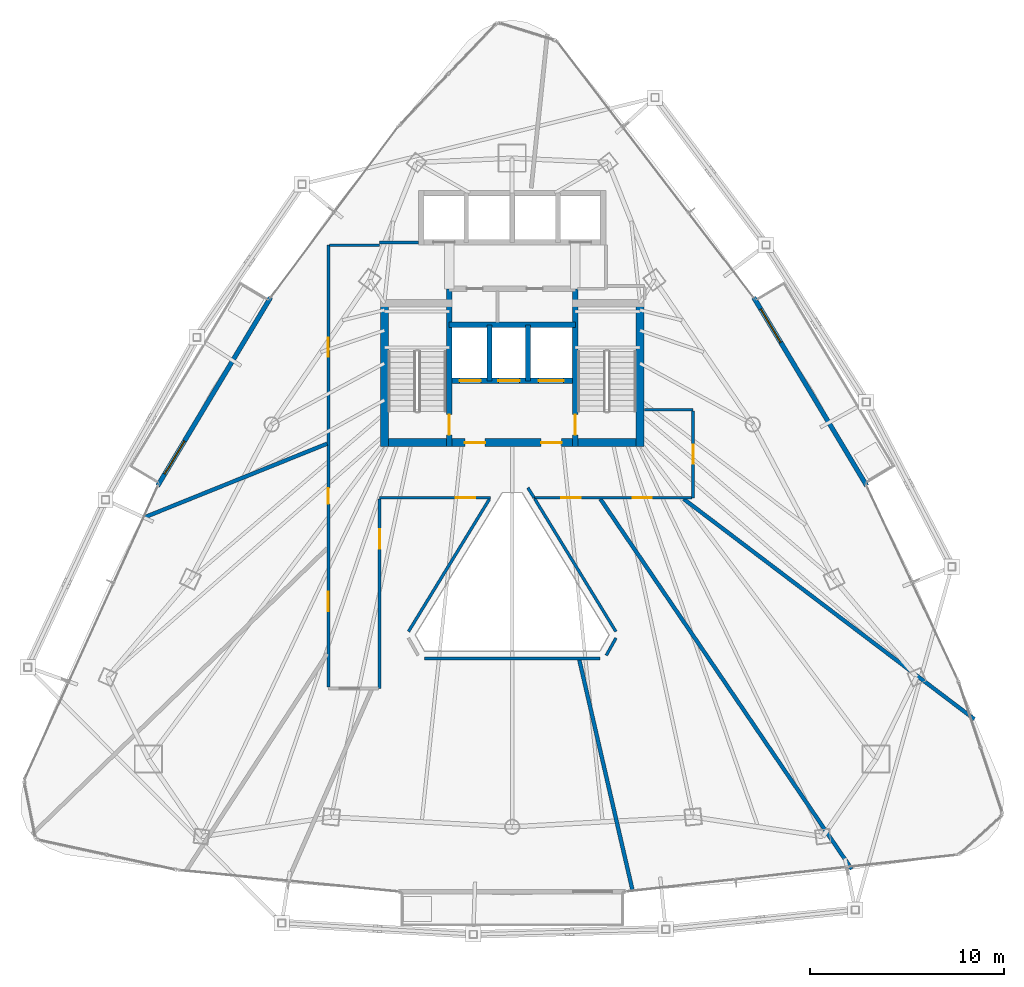
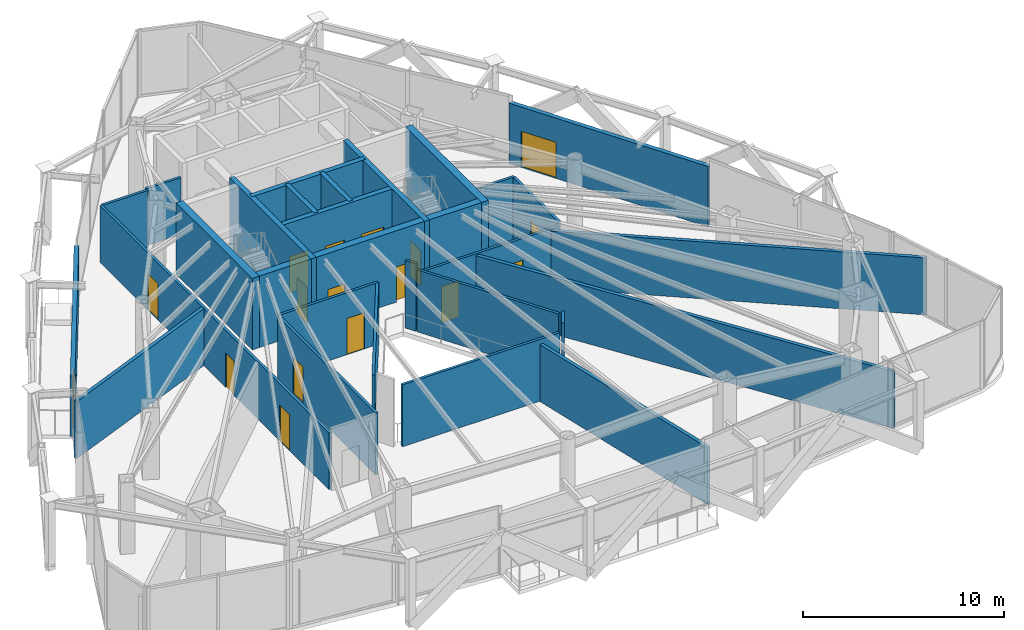
# One storey, part 24 of 28: 28 walls, 17 doors, 17 openings.
"""IFC4 building model written with IfcOpenShell, lengths in metres."""

from ifc_helpers import new_model, si_unit, direction, frame, frame_2d, origin, place, context, subcontext, project, spatial, rectangle, extrude, material, layer, layer_set, type_object, element, fill, save


model = new_model("IFC4")

# Units and contexts
model_context = context("Model", 3, precision=1e-05, world=origin(), true_north=direction((0.0, 1.0)))
body_context = subcontext(model_context, "Body", "Model", "MODEL_VIEW")
ifc_project = project(units=[si_unit("LENGTHUNIT", "METRE"), si_unit("AREAUNIT", "SQUARE_METRE"), si_unit("VOLUMEUNIT", "CUBIC_METRE"), si_unit("PLANEANGLEUNIT", "RADIAN"), si_unit("MASSUNIT", "GRAM", prefix="KILO")], contexts=[model_context])

# Site, building, storey
site_placement = place(None, origin())
site = spatial("IfcSite", under=ifc_project, at=site_placement, CompositionType="ELEMENT")
building_placement = place(site_placement, origin())
building = spatial("IfcBuilding", under=site, at=building_placement, Name="Orvanel Arch Residences", CompositionType="ELEMENT")
storey_placement = place(building_placement, frame((0.0, 0.0, 146.300048828125)))
storey = spatial("IfcBuildingStorey", under=building, at=storey_placement, Name="L41", CompositionType="ELEMENT", Elevation=146.300048828125)

# Wall, opening, door
ifc_material_1 = material(Name="Precast concrete N50 (50 MPa)", Category="concrete")
ifc_layer_1 = layer(ifc_material_1, 0.239990234375)
ifc_layer_set_1 = layer_set([ifc_layer_1], Name="Precast concrete N50 (50 MPa)")
wall_type_1 = type_object("IfcWallType", Name="EW-BAL-240", PredefinedType="SOLIDWALL", material=ifc_layer_set_1)
wall_1_placement = place(storey_placement, frame((20.512939453125, 34.197998046875, 0.0), z_axis=(0.0, 0.0, 1.0), x_axis=(-0.514362844839, -0.857572658058, 0.0)))
wall_1 = element("IfcWall", 1, at=wall_1_placement, inside=storey, type_object=wall_type_1, Name="L41 Balcony Threshold Wall Face 1", PredefinedType="SOLIDWALL", context=body_context, shape_type="SweptSolid", body=[
    extrude(rectangle(XDim=11.345947265625, YDim=0.239990234375, at=frame_2d((5.6728515625, 0.0))), origin(), (0.0, 0.0, 1.0), 3.674072265625),
])
opening_1_placement = place(wall_1_placement, frame((8.64794921875, 0.0, 0.0)))
opening_1 = element("IfcOpeningElement", 2, at=opening_1_placement, cuts=wall_1, Name="Opening DT-200", PredefinedType="OPENING", context=body_context, shape_type="SweptSolid", body=[
    extrude(rectangle(XDim=2.0, YDim=2.199951171875, at=frame_2d((1.0, 1.10009765625))), frame((0.0, 0.1298828125, 0.0), z_axis=(0.0, -1.0, 0.0), x_axis=(1.0, 0.0, 0.0)), (0.0, 0.0, 1.0), 0.260009765625),
])
ifc_material_2 = material(Name="Bronze-anodised aluminium AA6063-T6", Category="aluminium")
door_type_1 = type_object("IfcDoorType", Name="DR-TER-2000", OperationType="NOTDEFINED", PredefinedType="DOOR", material=ifc_material_2)
door_1_placement = place(opening_1_placement, origin())
door_1 = element("IfcDoor", 3, at=door_1_placement, inside=storey, type_object=door_type_1, Name="DR-L41-BAL-F1 L41 Planted Balcony Access Door Face 1", OperationType="SINGLE_SWING_RIGHT", OverallHeight=2.199951171875, OverallWidth=2.0, PredefinedType="DOOR", context=body_context, shape_type="SweptSolid", body=[
    extrude(rectangle(XDim=2.0, YDim=2.199951171875, at=frame_2d((1.0, 1.10009765625))), frame((0.0, 0.02490234375, 0.0), z_axis=(0.0, -1.0, 0.0), x_axis=(1.0, 0.0, 0.0)), (0.0, 0.0, 1.0), 0.050048828125),
])
fill(opening_1, door_1)

wall_2_placement = place(storey_placement, frame((51.322998046875, 24.468017578125, 0.0), z_axis=(0.0, 0.0, 1.0), x_axis=(-0.514362844839, 0.857572658058, 0.0)))
wall_2 = element("IfcWall", 4, at=wall_2_placement, inside=storey, type_object=wall_type_1, Name="L41 Balcony Threshold Wall Face 3", PredefinedType="SOLIDWALL", context=body_context, shape_type="SweptSolid", body=[
    extrude(rectangle(XDim=11.345947265625, YDim=0.239990234375, at=frame_2d((5.6728515625, 0.0))), origin(), (0.0, 0.0, 1.0), 3.674072265625),
])
opening_2_placement = place(wall_2_placement, frame((8.64794921875, 0.0, 0.0)))
opening_2 = element("IfcOpeningElement", 5, at=opening_2_placement, cuts=wall_2, Name="Opening DT-200", PredefinedType="OPENING", context=body_context, shape_type="SweptSolid", body=[
    extrude(rectangle(XDim=2.0, YDim=2.199951171875, at=frame_2d((1.0, 1.10009765625))), frame((0.0, 0.1298828125, 0.0), z_axis=(0.0, -1.0, 0.0), x_axis=(1.0, 0.0, 0.0)), (0.0, 0.0, 1.0), 0.260009765625),
])
door_2_placement = place(opening_2_placement, origin())
door_2 = element("IfcDoor", 6, at=door_2_placement, inside=storey, type_object=door_type_1, Name="DR-L41-BAL-F3 L41 Planted Balcony Access Door Face 3", OperationType="SINGLE_SWING_RIGHT", OverallHeight=2.199951171875, OverallWidth=2.0, PredefinedType="DOOR", context=body_context, shape_type="SweptSolid", body=[
    extrude(rectangle(XDim=2.0, YDim=2.199951171875, at=frame_2d((1.0, 1.10009765625))), frame((0.0, 0.02490234375, 0.0), z_axis=(0.0, -1.0, 0.0), x_axis=(1.0, 0.0, 0.0)), (0.0, 0.0, 1.0), 0.050048828125),
])
fill(opening_2, door_2)

# Walls
ifc_material_3 = material(Name="Concrete N50 (50 MPa)", Category="concrete")
ifc_layer_2 = layer(ifc_material_3, 0.25)
ifc_layer_set_2 = layer_set([ifc_layer_2], Name="Concrete N50 (50 MPa)")
wall_type_2 = type_object("IfcWallType", Name="SW-CORE-250", PredefinedType="SHEAR", material=ifc_layer_set_2)
for number, where, z_axis, x_axis, name in (
    (7, (31.824951171875, 29.889892578125, 0.0), (0.0, 0.0, 1.0), (0.0, 1.0, 0.0), "L41 Emergency Lift Inter-Shaft Wall F12"),
    (8, (33.824951171875, 29.889892578125, 0.0), (0.0, 0.0, 1.0), (0.0, 1.0, 0.0), "L41 Emergency Lift Inter-Shaft Wall F2G"),
):
    element("IfcWall", number, at=place(storey_placement, frame(where, z_axis=z_axis, x_axis=x_axis)), inside=storey, type_object=wall_type_2, Name=name, PredefinedType="SHEAR", context=body_context, shape_type="SweptSolid", body=[
        extrude(rectangle(XDim=2.900146484375, YDim=0.25, at=frame_2d((1.4501953125, 0.0))), origin(), (0.0, 0.0, 1.0), 4.349853515625),
    ])

# Wall, opening, door
ifc_material_4 = material(Name="Concrete S65 (65 MPa)", Category="concrete")
ifc_layer_3 = layer(ifc_material_4, 0.280029296875)
ifc_layer_set_3 = layer_set([ifc_layer_3], Name="Concrete S65 (65 MPa)")
wall_type_3 = type_object("IfcWallType", Name="SW-CORE-280", PredefinedType="SHEAR", material=ifc_layer_set_3)
wall_3_placement = place(storey_placement, frame((29.739990234375, 26.5, 0.0), z_axis=(0.0, 0.0, 1.0), x_axis=(0.0, 1.0, 0.0)))
wall_3 = element("IfcWall", 9, at=wall_3_placement, inside=storey, type_object=wall_type_3, Name="L41 West Inner Core Spine Shear Wall", PredefinedType="SHEAR", context=body_context, shape_type="SweptSolid", body=[
    extrude(rectangle(XDim=8.14990234375, YDim=0.280029296875, at=frame_2d((4.074951171875, 0.0))), origin(), (0.0, 0.0, 1.0), 4.349853515625),
])
opening_3_placement = place(wall_3_placement, frame((0.60009765625, 0.0, 0.0)))
opening_3 = element("IfcOpeningElement", 10, at=opening_3_placement, cuts=wall_3, Name="Opening DF-120", PredefinedType="OPENING", context=body_context, shape_type="SweptSolid", body=[
    extrude(rectangle(XDim=1.050048828125, YDim=2.14990234375, at=frame_2d((0.52490234375, 1.074951171875))), frame((0.0, 0.14990234375, 0.0), z_axis=(0.0, -1.0, 0.0), x_axis=(1.0, 0.0, 0.0)), (0.0, 0.0, 1.0), 0.300048828125),
])
ifc_material_5 = material(Name="Galvanised steel fire-resisting door assembly", Category="steel")
door_type_2 = type_object("IfcDoorType", Name="DR-FD120-1050", OperationType="NOTDEFINED", PredefinedType="DOOR", material=ifc_material_5)
door_3_placement = place(opening_3_placement, origin())
door_3 = element("IfcDoor", 11, at=door_3_placement, inside=storey, type_object=door_type_2, Name="DR-L41-ST1 L41 Stair 1 Fire Door", OperationType="SINGLE_SWING_LEFT", OverallHeight=2.14990234375, OverallWidth=1.050048828125, PredefinedType="DOOR", context=body_context, shape_type="SweptSolid", body=[
    extrude(rectangle(XDim=1.050048828125, YDim=2.14990234375, at=frame_2d((0.52490234375, 1.074951171875))), frame((0.0, 0.02490234375, 0.0), z_axis=(0.0, -1.0, 0.0), x_axis=(1.0, 0.0, 0.0)), (0.0, 0.0, 1.0), 0.050048828125),
])
fill(opening_3, door_3)

wall_4_placement = place(storey_placement, frame((36.260009765625, 26.5, 0.0), z_axis=(0.0, 0.0, 1.0), x_axis=(0.0, 1.0, 0.0)))
wall_4 = element("IfcWall", 12, at=wall_4_placement, inside=storey, type_object=wall_type_3, Name="L41 East Inner Core Spine Shear Wall", PredefinedType="SHEAR", context=body_context, shape_type="SweptSolid", body=[
    extrude(rectangle(XDim=8.14990234375, YDim=0.280029296875, at=frame_2d((4.074951171875, 0.0))), origin(), (0.0, 0.0, 1.0), 4.349853515625),
])
opening_4_placement = place(wall_4_placement, frame((0.60009765625, 0.0, 0.0)))
opening_4 = element("IfcOpeningElement", 13, at=opening_4_placement, cuts=wall_4, Name="Opening DF-120", PredefinedType="OPENING", context=body_context, shape_type="SweptSolid", body=[
    extrude(rectangle(XDim=1.050048828125, YDim=2.14990234375, at=frame_2d((0.52490234375, 1.074951171875))), frame((0.0, 0.14990234375, 0.0), z_axis=(0.0, -1.0, 0.0), x_axis=(1.0, 0.0, 0.0)), (0.0, 0.0, 1.0), 0.300048828125),
])
door_4_placement = place(opening_4_placement, origin())
door_4 = element("IfcDoor", 14, at=door_4_placement, inside=storey, type_object=door_type_2, Name="DR-L41-ST2 L41 Stair 2 Fire Door", OperationType="SINGLE_SWING_RIGHT", OverallHeight=2.14990234375, OverallWidth=1.050048828125, PredefinedType="DOOR", context=body_context, shape_type="SweptSolid", body=[
    extrude(rectangle(XDim=1.050048828125, YDim=2.14990234375, at=frame_2d((0.52490234375, 1.074951171875))), frame((0.0, 0.02490234375, 0.0), z_axis=(0.0, -1.0, 0.0), x_axis=(1.0, 0.0, 0.0)), (0.0, 0.0, 1.0), 0.050048828125),
])
fill(opening_4, door_4)

# Wall, openings, doors
wall_5_placement = place(storey_placement, frame((36.260009765625, 29.889892578125, 0.0), z_axis=(0.0, 0.0, 1.0), x_axis=(-1.0, 0.0, 0.0)))
wall_5 = element("IfcWall", 15, at=wall_5_placement, inside=storey, type_object=wall_type_3, Name="L41 Emergency Lift Front Core Shear Wall", PredefinedType="SHEAR", context=body_context, shape_type="SweptSolid", body=[
    extrude(rectangle(XDim=6.52001953125, YDim=0.280029296875, at=frame_2d((3.260009765625, 0.0))), origin(), (0.0, 0.0, 1.0), 4.349853515625),
])
opening_5_placement = place(wall_5_placement, frame((4.875, 0.0, 0.0)))
opening_5 = element("IfcOpeningElement", 16, at=opening_5_placement, cuts=wall_5, Name="Opening LD-110", PredefinedType="OPENING", context=body_context, shape_type="SweptSolid", body=[
    extrude(rectangle(XDim=1.10009765625, YDim=2.199951171875, at=frame_2d((0.550048828125, 1.10009765625))), frame((0.0, 0.14990234375, 0.0), z_axis=(0.0, -1.0, 0.0), x_axis=(1.0, 0.0, 0.0)), (0.0, 0.0, 1.0), 0.300048828125),
])
opening_6_placement = place(wall_5_placement, frame((2.875, 0.0, 0.0)))
opening_6 = element("IfcOpeningElement", 17, at=opening_6_placement, cuts=wall_5, Name="Opening LD-110", PredefinedType="OPENING", context=body_context, shape_type="SweptSolid", body=[
    extrude(rectangle(XDim=1.10009765625, YDim=2.199951171875, at=frame_2d((0.550048828125, 1.10009765625))), frame((0.0, 0.14990234375, 0.0), z_axis=(0.0, -1.0, 0.0), x_axis=(1.0, 0.0, 0.0)), (0.0, 0.0, 1.0), 0.300048828125),
])
opening_7_placement = place(wall_5_placement, frame((0.60009765625, 0.0, 0.0)))
opening_7 = element("IfcOpeningElement", 18, at=opening_7_placement, cuts=wall_5, Name="Opening LD-130", PredefinedType="OPENING", context=body_context, shape_type="SweptSolid", body=[
    extrude(rectangle(XDim=1.300048828125, YDim=2.199951171875, at=frame_2d((0.64990234375, 1.10009765625))), frame((0.0, 0.14990234375, 0.0), z_axis=(0.0, -1.0, 0.0), x_axis=(1.0, 0.0, 0.0)), (0.0, 0.0, 1.0), 0.300048828125),
])
door_type_3 = type_object("IfcDoorType", Name="DR-LFT-1100", OperationType="NOTDEFINED", PredefinedType="DOOR", material=ifc_material_5)
door_5_placement = place(opening_5_placement, origin())
door_5 = element("IfcDoor", 19, at=door_5_placement, inside=storey, type_object=door_type_3, Name="LD-F1-L41 L41 Lift F1 Sliding Landing Door", OperationType="DOUBLE_DOOR_SLIDING", OverallHeight=2.199951171875, OverallWidth=1.10009765625, PredefinedType="DOOR", context=body_context, shape_type="SweptSolid", body=[
    extrude(rectangle(XDim=1.10009765625, YDim=2.199951171875, at=frame_2d((0.550048828125, 1.10009765625))), frame((0.0, 0.02490234375, 0.0), z_axis=(0.0, -1.0, 0.0), x_axis=(1.0, 0.0, 0.0)), (0.0, 0.0, 1.0), 0.050048828125),
])
fill(opening_5, door_5)
door_6_placement = place(opening_6_placement, origin())
door_6 = element("IfcDoor", 20, at=door_6_placement, inside=storey, type_object=door_type_3, Name="LD-F2-L41 L41 Lift F2 Sliding Landing Door", OperationType="DOUBLE_DOOR_SLIDING", OverallHeight=2.199951171875, OverallWidth=1.10009765625, PredefinedType="DOOR", context=body_context, shape_type="SweptSolid", body=[
    extrude(rectangle(XDim=1.10009765625, YDim=2.199951171875, at=frame_2d((0.550048828125, 1.10009765625))), frame((0.0, 0.02490234375, 0.0), z_axis=(0.0, -1.0, 0.0), x_axis=(1.0, 0.0, 0.0)), (0.0, 0.0, 1.0), 0.050048828125),
])
fill(opening_6, door_6)
door_type_4 = type_object("IfcDoorType", Name="DR-LFT-1300", OperationType="NOTDEFINED", PredefinedType="DOOR", material=ifc_material_5)
door_7_placement = place(opening_7_placement, origin())
door_7 = element("IfcDoor", 21, at=door_7_placement, inside=storey, type_object=door_type_4, Name="LD-G1-L41 L41 Lift G1 Sliding Landing Door", OperationType="DOUBLE_DOOR_SLIDING", OverallHeight=2.199951171875, OverallWidth=1.300048828125, PredefinedType="DOOR", context=body_context, shape_type="SweptSolid", body=[
    extrude(rectangle(XDim=1.300048828125, YDim=2.199951171875, at=frame_2d((0.64990234375, 1.10009765625))), frame((0.0, 0.02490234375, 0.0), z_axis=(0.0, -1.0, 0.0), x_axis=(1.0, 0.0, 0.0)), (0.0, 0.0, 1.0), 0.050048828125),
])
fill(opening_7, door_7)

# Wall
wall_6_placement = place(storey_placement, frame((29.739990234375, 32.7900390625, 0.0), z_axis=(0.0, 0.0, 1.0), x_axis=(1.0, 0.0, 0.0)))
element("IfcWall", 22, at=wall_6_placement, inside=storey, type_object=wall_type_3, Name="L41 Emergency Lift Back Core Shear Wall", PredefinedType="SHEAR", context=body_context, shape_type="SweptSolid", body=[
    extrude(rectangle(XDim=6.52001953125, YDim=0.280029296875, at=frame_2d((3.260009765625, 0.0))), origin(), (0.0, 0.0, 1.0), 4.349853515625),
])

# Wall, openings, doors
ifc_layer_4 = layer(ifc_material_4, 0.39990234375)
ifc_layer_set_4 = layer_set([ifc_layer_4], Name="Concrete S65 (65 MPa)")
wall_type_4 = type_object("IfcWallType", Name="SW-CORE-400", PredefinedType="SHEAR", material=ifc_layer_set_4)
wall_7_placement = place(storey_placement, frame((26.199951171875, 26.699951171875, 0.0), z_axis=(0.0, 0.0, 1.0), x_axis=(1.0, 0.0, 0.0)))
wall_7 = element("IfcWall", 23, at=wall_7_placement, inside=storey, type_object=wall_type_4, Name="L41 South Core Shear Wall", PredefinedType="SHEAR", context=body_context, shape_type="SweptSolid", body=[
    extrude(rectangle(XDim=13.60009765625, YDim=0.39990234375, at=frame_2d((6.800048828125, 0.0))), origin(), (0.0, 0.0, 1.0), 4.349853515625),
])
opening_8_placement = place(wall_7_placement, frame((4.35009765625, 0.0, 0.0)))
opening_8 = element("IfcOpeningElement", 24, at=opening_8_placement, cuts=wall_7, Name="Opening DF-060", PredefinedType="OPENING", context=body_context, shape_type="SweptSolid", body=[
    extrude(rectangle(XDim=1.050048828125, YDim=2.14990234375, at=frame_2d((0.52490234375, 1.074951171875))), frame((0.0, 0.2099609375, 0.0), z_axis=(0.0, -1.0, 0.0), x_axis=(1.0, 0.0, 0.0)), (0.0, 0.0, 1.0), 0.419921875),
])
opening_9_placement = place(wall_7_placement, frame((8.300048828125, 0.0, 0.0)))
opening_9 = element("IfcOpeningElement", 25, at=opening_9_placement, cuts=wall_7, Name="Opening DF-060", PredefinedType="OPENING", context=body_context, shape_type="SweptSolid", body=[
    extrude(rectangle(XDim=1.050048828125, YDim=2.14990234375, at=frame_2d((0.52490234375, 1.074951171875))), frame((0.0, 0.2099609375, 0.0), z_axis=(0.0, -1.0, 0.0), x_axis=(1.0, 0.0, 0.0)), (0.0, 0.0, 1.0), 0.419921875),
])
door_type_5 = type_object("IfcDoorType", Name="DR-FD60-1050", OperationType="NOTDEFINED", PredefinedType="DOOR", material=ifc_material_5)
door_8_placement = place(opening_8_placement, origin())
door_8 = element("IfcDoor", 26, at=door_8_placement, inside=storey, type_object=door_type_5, Name="DR-L41-FFL-W L41 West Smoke Lobby Door", OperationType="SINGLE_SWING_LEFT", OverallHeight=2.14990234375, OverallWidth=1.050048828125, PredefinedType="DOOR", context=body_context, shape_type="SweptSolid", body=[
    extrude(rectangle(XDim=1.050048828125, YDim=2.14990234375, at=frame_2d((0.52490234375, 1.074951171875))), frame((0.0, 0.02490234375, 0.0), z_axis=(0.0, -1.0, 0.0), x_axis=(1.0, 0.0, 0.0)), (0.0, 0.0, 1.0), 0.050048828125),
])
fill(opening_8, door_8)
door_9_placement = place(opening_9_placement, origin())
door_9 = element("IfcDoor", 27, at=door_9_placement, inside=storey, type_object=door_type_5, Name="DR-L41-FFL-E L41 East Smoke Lobby Door", OperationType="SINGLE_SWING_RIGHT", OverallHeight=2.14990234375, OverallWidth=1.050048828125, PredefinedType="DOOR", context=body_context, shape_type="SweptSolid", body=[
    extrude(rectangle(XDim=1.050048828125, YDim=2.14990234375, at=frame_2d((0.52490234375, 1.074951171875))), frame((0.0, 0.02490234375, 0.0), z_axis=(0.0, -1.0, 0.0), x_axis=(1.0, 0.0, 0.0)), (0.0, 0.0, 1.0), 0.050048828125),
])
fill(opening_9, door_9)

# Walls
for number, where, z_axis, x_axis, name in (
    (28, (26.39990234375, 26.5, 0.0), (0.0, 0.0, 1.0), (0.0, 1.0, 0.0), "L41 West Stair Shear Wall"),
    (29, (39.60009765625, 26.5, 0.0), (0.0, 0.0, 1.0), (0.0, 1.0, 0.0), "L41 East Stair Shear Wall"),
):
    element("IfcWall", number, at=place(storey_placement, frame(where, z_axis=z_axis, x_axis=x_axis)), inside=storey, type_object=wall_type_4, Name=name, PredefinedType="SHEAR", context=body_context, shape_type="SweptSolid", body=[
        extrude(rectangle(XDim=7.60009765625, YDim=0.39990234375, at=frame_2d((3.800048828125, 0.0))), origin(), (0.0, 0.0, 1.0), 4.349853515625),
    ])

# Wall, opening, door
ifc_material_6 = material(Name="Fire-rated plasterboard lined steel stud partition", Category="steel")
ifc_layer_5 = layer(ifc_material_6, 0.14990234375)
ifc_layer_set_5 = layer_set([ifc_layer_5], Name="Fire-rated plasterboard lined steel stud partition")
wall_type_5 = type_object("IfcWallType", Name="W-COR-150", PredefinedType="PARTITIONING", material=ifc_layer_set_5)
wall_8_placement = place(storey_placement, frame((31.865966796875, 23.85009765625, 0.0), z_axis=(0.0, 0.0, 1.0), x_axis=(-1.0, 0.0, 0.0)))
wall_8 = element("IfcWall", 30, at=wall_8_placement, inside=storey, type_object=wall_type_5, Name="L41 Community Corridor Wall", PredefinedType="PARTITIONING", context=body_context, shape_type="SweptSolid", body=[
    extrude(rectangle(XDim=5.716064453125, YDim=0.14990234375, at=frame_2d((2.85791015625, 0.0))), origin(), (0.0, 0.0, 1.0), 3.77099609375),
])
opening_10_placement = place(wall_8_placement, frame((0.784912109375, 0.0, 0.0)))
opening_10 = element("IfcOpeningElement", 31, at=opening_10_placement, cuts=wall_8, Name="Opening DP-100", PredefinedType="OPENING", context=body_context, shape_type="SweptSolid", body=[
    extrude(rectangle(XDim=1.0, YDim=2.199951171875, at=frame_2d((0.5, 1.10009765625))), frame((0.0, 0.0849609375, 0.0), z_axis=(0.0, -1.0, 0.0), x_axis=(1.0, 0.0, 0.0)), (0.0, 0.0, 1.0), 0.169921875),
])
ifc_material_7 = material(Name="Solid-core European oak veneer fire door leaf", Category="wood")
door_type_6 = type_object("IfcDoorType", Name="DR-POD-1000", OperationType="NOTDEFINED", PredefinedType="DOOR", material=ifc_material_7)
door_10_placement = place(opening_10_placement, origin())
door_10 = element("IfcDoor", 32, at=door_10_placement, inside=storey, type_object=door_type_6, Name="DR-L41-STRX8-8 L41 Community Equipment Store 8 Door", OperationType="SINGLE_SWING_LEFT", OverallHeight=2.199951171875, OverallWidth=1.0, PredefinedType="DOOR", context=body_context, shape_type="SweptSolid", body=[
    extrude(rectangle(XDim=1.0, YDim=2.199951171875, at=frame_2d((0.5, 1.10009765625))), frame((0.0, 0.02490234375, 0.0), z_axis=(0.0, -1.0, 0.0), x_axis=(1.0, 0.0, 0.0)), (0.0, 0.0, 1.0), 0.050048828125),
])
fill(opening_10, door_10)

wall_9_placement = place(storey_placement, frame((26.14990234375, 23.7900390625, 0.0), z_axis=(0.0, 0.0, 1.0), x_axis=(0.0, -1.0, 0.0)))
wall_9 = element("IfcWall", 33, at=wall_9_placement, inside=storey, type_object=wall_type_5, Name="L41 Community Corridor Wall", PredefinedType="PARTITIONING", context=body_context, shape_type="SweptSolid", body=[
    extrude(rectangle(XDim=9.7900390625, YDim=0.14990234375, at=frame_2d((4.89501953125, 0.0))), origin(), (0.0, 0.0, 1.0), 3.77099609375),
])
opening_11_placement = place(wall_9_placement, frame((1.56591796875, 0.0, 0.0)))
opening_11 = element("IfcOpeningElement", 34, at=opening_11_placement, cuts=wall_9, Name="Opening DP-100", PredefinedType="OPENING", context=body_context, shape_type="SweptSolid", body=[
    extrude(rectangle(XDim=1.0, YDim=2.199951171875, at=frame_2d((0.5, 1.10009765625))), frame((0.0, 0.0849609375, 0.0), z_axis=(0.0, -1.0, 0.0), x_axis=(1.0, 0.0, 0.0)), (0.0, 0.0, 1.0), 0.169921875),
])
door_11_placement = place(opening_11_placement, origin())
door_11 = element("IfcDoor", 35, at=door_11_placement, inside=storey, type_object=door_type_6, Name="DR-L41-CAR2-3 L41 Allied Health Consulting Suite 2 Door", OperationType="SINGLE_SWING_LEFT", OverallHeight=2.199951171875, OverallWidth=1.0, PredefinedType="DOOR", context=body_context, shape_type="SweptSolid", body=[
    extrude(rectangle(XDim=1.0, YDim=2.199951171875, at=frame_2d((0.5, 1.10009765625))), frame((0.0, 0.02490234375, 0.0), z_axis=(0.0, -1.0, 0.0), x_axis=(1.0, 0.0, 0.0)), (0.0, 0.0, 1.0), 0.050048828125),
])
fill(opening_11, door_11)

# Wall, openings, doors
wall_10_placement = place(storey_placement, frame((23.5, 14.06005859375, 0.0), z_axis=(0.0, 0.0, 1.0), x_axis=(0.0, 1.0, 0.0)))
wall_10 = element("IfcWall", 36, at=wall_10_placement, inside=storey, type_object=wall_type_5, Name="L41 Community Corridor Wall", PredefinedType="PARTITIONING", context=body_context, shape_type="SweptSolid", body=[
    extrude(rectangle(XDim=22.83984375, YDim=0.14990234375, at=frame_2d((11.419921875, 0.0))), origin(), (0.0, 0.0, 1.0), 3.462890625),
])
opening_12_placement = place(wall_10_placement, frame((9.469970703125, 0.0, 0.0)))
opening_12 = element("IfcOpeningElement", 37, at=opening_12_placement, cuts=wall_10, Name="Opening DW-082", PredefinedType="OPENING", context=body_context, shape_type="SweptSolid", body=[
    extrude(rectangle(XDim=0.820068359375, YDim=2.10009765625, at=frame_2d((0.41015625, 1.050048828125))), frame((0.0, 0.0849609375, 0.0), z_axis=(0.0, -1.0, 0.0), x_axis=(1.0, 0.0, 0.0)), (0.0, 0.0, 1.0), 0.169921875),
])
opening_13_placement = place(wall_10_placement, frame((17.06591796875, 0.0, 0.0)))
opening_13 = element("IfcOpeningElement", 38, at=opening_13_placement, cuts=wall_10, Name="Opening DP-100", PredefinedType="OPENING", context=body_context, shape_type="SweptSolid", body=[
    extrude(rectangle(XDim=1.0, YDim=2.199951171875, at=frame_2d((0.5, 1.10009765625))), frame((0.0, 0.0849609375, 0.0), z_axis=(0.0, -1.0, 0.0), x_axis=(1.0, 0.0, 0.0)), (0.0, 0.0, 1.0), 0.169921875),
])
opening_14_placement = place(wall_10_placement, frame((3.93603515625, 0.0, 0.0)))
opening_14 = element("IfcOpeningElement", 39, at=opening_14_placement, cuts=wall_10, Name="Opening DP-100", PredefinedType="OPENING", context=body_context, shape_type="SweptSolid", body=[
    extrude(rectangle(XDim=1.0, YDim=2.199951171875, at=frame_2d((0.5, 1.10009765625))), frame((0.0, 0.0849609375, 0.0), z_axis=(0.0, -1.0, 0.0), x_axis=(1.0, 0.0, 0.0)), (0.0, 0.0, 1.0), 0.169921875),
])
door_12_placement = place(opening_13_placement, origin())
door_12 = element("IfcDoor", 40, at=door_12_placement, inside=storey, type_object=door_type_6, Name="DR-L41-KIT-1 L41 Community Pantry Kitchen Door", OperationType="SINGLE_SWING_LEFT", OverallHeight=2.199951171875, OverallWidth=1.0, PredefinedType="DOOR", context=body_context, shape_type="SweptSolid", body=[
    extrude(rectangle(XDim=1.0, YDim=2.199951171875, at=frame_2d((0.5, 1.10009765625))), frame((0.0, 0.02490234375, 0.0), z_axis=(0.0, -1.0, 0.0), x_axis=(1.0, 0.0, 0.0)), (0.0, 0.0, 1.0), 0.050048828125),
])
fill(opening_13, door_12)
door_13_placement = place(opening_14_placement, origin())
door_13 = element("IfcDoor", 41, at=door_13_placement, inside=storey, type_object=door_type_6, Name="DR-L41-STR-5 L41 Community Supply Store Door", OperationType="SINGLE_SWING_LEFT", OverallHeight=2.199951171875, OverallWidth=1.0, PredefinedType="DOOR", context=body_context, shape_type="SweptSolid", body=[
    extrude(rectangle(XDim=1.0, YDim=2.199951171875, at=frame_2d((0.5, 1.10009765625))), frame((0.0, 0.02490234375, 0.0), z_axis=(0.0, -1.0, 0.0), x_axis=(1.0, 0.0, 0.0)), (0.0, 0.0, 1.0), 0.050048828125),
])
fill(opening_14, door_13)
door_type_7 = type_object("IfcDoorType", Name="DR-WET-820", OperationType="NOTDEFINED", PredefinedType="DOOR", material=ifc_material_7)
door_14_placement = place(opening_12_placement, origin())
door_14 = element("IfcDoor", 42, at=door_14_placement, inside=storey, type_object=door_type_7, Name="DR-L41-WC-0 L41 Accessible Washrooms Door", OperationType="SINGLE_SWING_LEFT", OverallHeight=2.10009765625, OverallWidth=0.820068359375, PredefinedType="DOOR", context=body_context, shape_type="SweptSolid", body=[
    extrude(rectangle(XDim=0.820068359375, YDim=2.10009765625, at=frame_2d((0.41015625, 1.050048828125))), frame((0.0, 0.02490234375, 0.0), z_axis=(0.0, -1.0, 0.0), x_axis=(1.0, 0.0, 0.0)), (0.0, 0.0, 1.0), 0.050048828125),
])
fill(opening_12, door_14)

# Walls
wall_11_placement = place(storey_placement, frame((23.56005859375, 36.89990234375, 0.0), z_axis=(0.0, 0.0, 1.0), x_axis=(1.0, 0.0, 0.0)))
element("IfcWall", 43, at=wall_11_placement, inside=storey, type_object=wall_type_5, Name="L41 Community Corridor Wall", PredefinedType="PARTITIONING", context=body_context, shape_type="SweptSolid", body=[
    extrude(rectangle(XDim=2.58984375, YDim=0.14990234375, at=frame_2d((1.294921875, 0.0))), origin(), (0.0, 0.0, 1.0), 3.462890625),
])
wall_12_placement = place(storey_placement, frame((39.85009765625, 28.39990234375, 0.0), z_axis=(0.0, 0.0, 1.0), x_axis=(1.0, 0.0, 0.0)))
element("IfcWall", 44, at=wall_12_placement, inside=storey, type_object=wall_type_5, Name="L41 Community Corridor Wall", PredefinedType="PARTITIONING", context=body_context, shape_type="SweptSolid", body=[
    extrude(rectangle(XDim=2.5, YDim=0.14990234375, at=frame_2d((1.25, 0.0))), origin(), (0.0, 0.0, 1.0), 3.77099609375),
])

# Wall, opening, door
wall_13_placement = place(storey_placement, frame((42.35009765625, 28.340087890625, 0.0), z_axis=(0.0, 0.0, 1.0), x_axis=(0.0, -1.0, 0.0)))
wall_13 = element("IfcWall", 45, at=wall_13_placement, inside=storey, type_object=wall_type_5, Name="L41 Community Corridor Wall", PredefinedType="PARTITIONING", context=body_context, shape_type="SweptSolid", body=[
    extrude(rectangle(XDim=4.489990234375, YDim=0.14990234375, at=frame_2d((2.2451171875, 0.0))), origin(), (0.0, 0.0, 1.0), 3.77099609375),
])
opening_15_placement = place(wall_13_placement, frame((1.7451171875, 0.0, 0.0)))
opening_15 = element("IfcOpeningElement", 46, at=opening_15_placement, cuts=wall_13, Name="Opening DP-100", PredefinedType="OPENING", context=body_context, shape_type="SweptSolid", body=[
    extrude(rectangle(XDim=1.0, YDim=2.199951171875, at=frame_2d((0.5, 1.10009765625))), frame((0.0, 0.0849609375, 0.0), z_axis=(0.0, -1.0, 0.0), x_axis=(1.0, 0.0, 0.0)), (0.0, 0.0, 1.0), 0.169921875),
])
door_15_placement = place(opening_15_placement, origin())
door_15 = element("IfcDoor", 47, at=door_15_placement, inside=storey, type_object=door_type_6, Name="DR-L41-CAR1-2 L41 Allied Health Consulting Suite 1 Door", OperationType="SINGLE_SWING_LEFT", OverallHeight=2.199951171875, OverallWidth=1.0, PredefinedType="DOOR", context=body_context, shape_type="SweptSolid", body=[
    extrude(rectangle(XDim=1.0, YDim=2.199951171875, at=frame_2d((0.5, 1.10009765625))), frame((0.0, 0.02490234375, 0.0), z_axis=(0.0, -1.0, 0.0), x_axis=(1.0, 0.0, 0.0)), (0.0, 0.0, 1.0), 0.050048828125),
])
fill(opening_15, door_15)

# Wall, openings, doors
wall_14_placement = place(storey_placement, frame((42.2900390625, 23.85009765625, 0.0), z_axis=(0.0, 0.0, 1.0), x_axis=(-1.0, 0.0, 0.0)))
wall_14 = element("IfcWall", 48, at=wall_14_placement, inside=storey, type_object=wall_type_5, Name="L41 Community Corridor Wall", PredefinedType="PARTITIONING", context=body_context, shape_type="SweptSolid", body=[
    extrude(rectangle(XDim=8.156005859375, YDim=0.14990234375, at=frame_2d((4.078125, 0.0))), origin(), (0.0, 0.0, 1.0), 3.5419921875),
])
opening_16_placement = place(wall_14_placement, frame((5.741943359375, 0.0, 0.0)))
opening_16 = element("IfcOpeningElement", 49, at=opening_16_placement, cuts=wall_14, Name="Opening DP-100", PredefinedType="OPENING", context=body_context, shape_type="SweptSolid", body=[
    extrude(rectangle(XDim=1.0, YDim=2.199951171875, at=frame_2d((0.5, 1.10009765625))), frame((0.0, 0.0849609375, 0.0), z_axis=(0.0, -1.0, 0.0), x_axis=(1.0, 0.0, 0.0)), (0.0, 0.0, 1.0), 0.169921875),
])
opening_17_placement = place(wall_14_placement, frame((2.071044921875, 0.0, 0.0)))
opening_17 = element("IfcOpeningElement", 50, at=opening_17_placement, cuts=wall_14, Name="Opening DP-100", PredefinedType="OPENING", context=body_context, shape_type="SweptSolid", body=[
    extrude(rectangle(XDim=1.0, YDim=2.199951171875, at=frame_2d((0.5, 1.10009765625))), frame((0.0, 0.0849609375, 0.0), z_axis=(0.0, -1.0, 0.0), x_axis=(1.0, 0.0, 0.0)), (0.0, 0.0, 1.0), 0.169921875),
])
door_16_placement = place(opening_16_placement, origin())
door_16 = element("IfcDoor", 51, at=door_16_placement, inside=storey, type_object=door_type_6, Name="DR-L41-LNG-6 L41 Resident Quiet Lounge Door", OperationType="SINGLE_SWING_LEFT", OverallHeight=2.199951171875, OverallWidth=1.0, PredefinedType="DOOR", context=body_context, shape_type="SweptSolid", body=[
    extrude(rectangle(XDim=1.0, YDim=2.199951171875, at=frame_2d((0.5, 1.10009765625))), frame((0.0, 0.02490234375, 0.0), z_axis=(0.0, -1.0, 0.0), x_axis=(1.0, 0.0, 0.0)), (0.0, 0.0, 1.0), 0.050048828125),
])
fill(opening_16, door_16)
door_17_placement = place(opening_17_placement, origin())
door_17 = element("IfcDoor", 52, at=door_17_placement, inside=storey, type_object=door_type_6, Name="DR-L41-GYM-7 L41 Resident Fitness Studio Door", OperationType="SINGLE_SWING_LEFT", OverallHeight=2.199951171875, OverallWidth=1.0, PredefinedType="DOOR", context=body_context, shape_type="SweptSolid", body=[
    extrude(rectangle(XDim=1.0, YDim=2.199951171875, at=frame_2d((0.5, 1.10009765625))), frame((0.0, 0.02490234375, 0.0), z_axis=(0.0, -1.0, 0.0), x_axis=(1.0, 0.0, 0.0)), (0.0, 0.0, 1.0), 0.050048828125),
])
fill(opening_17, door_17)

# Walls
wall_15_placement = place(storey_placement, frame((34.134033203125, 23.85009765625, 0.0), z_axis=(0.0, 0.0, 1.0), x_axis=(-0.529529733565, 0.848291377576, 0.0)))
element("IfcWall", 53, at=wall_15_placement, inside=storey, type_object=wall_type_5, Name="L41 Community Corridor Wall", PredefinedType="PARTITIONING", context=body_context, shape_type="SweptSolid", body=[
    extrude(rectangle(XDim=0.608154296875, YDim=0.14990234375, at=frame_2d((0.30419921875, 0.0))), origin(), (0.0, 0.0, 1.0), 4.10986328125),
])
wall_16_placement = place(storey_placement, frame((26.14990234375, 37.050048828125, 0.0), z_axis=(0.0, 0.0, 1.0), x_axis=(1.0, 0.0, 0.0)))
element("IfcWall", 54, at=wall_16_placement, inside=storey, type_object=wall_type_5, Name="L41 Core Perimeter Wall", PredefinedType="PARTITIONING", context=body_context, shape_type="SweptSolid", body=[
    extrude(rectangle(XDim=2.0, YDim=0.14990234375, at=frame_2d((1.0, 0.0))), origin(), (0.0, 0.0, 1.0), 3.462890625),
])
wall_17_placement = place(storey_placement, frame((34.1650390625, 23.7900390625, 0.0), z_axis=(0.0, 0.0, 1.0), x_axis=(0.521840801216, -0.853042893521, 0.0)))
element("IfcWall", 55, at=wall_17_placement, inside=storey, type_object=wall_type_5, Name="L41 Atrium Glazed Wall", PredefinedType="PARTITIONING", context=body_context, shape_type="SweptSolid", body=[
    extrude(rectangle(XDim=8.03466796875, YDim=0.14990234375, at=frame_2d((4.017333984375, 0.0))), origin(), (0.0, 0.0, 1.0), 3.77099609375),
])
wall_18_placement = place(storey_placement, frame((38.364013671875, 16.60009765625, 0.0), z_axis=(0.0, 0.0, 1.0), x_axis=(-0.489153867357, -0.872197508624, 0.0)))
element("IfcWall", 56, at=wall_18_placement, inside=storey, type_object=wall_type_5, Name="L41 Atrium Glazed Wall", PredefinedType="PARTITIONING", context=body_context, shape_type="SweptSolid", body=[
    extrude(rectangle(XDim=1.026123046875, YDim=0.14990234375, at=frame_2d((0.51318359375, 0.0))), origin(), (0.0, 0.0, 1.0), 4.10986328125),
])
wall_19_placement = place(storey_placement, frame((37.532958984375, 15.532958984375, 0.0), z_axis=(0.0, 0.0, 1.0), x_axis=(-1.0, 0.0, 0.0)))
element("IfcWall", 57, at=wall_19_placement, inside=storey, type_object=wall_type_5, Name="L41 Atrium Glazed Wall", PredefinedType="PARTITIONING", context=body_context, shape_type="SweptSolid", body=[
    extrude(rectangle(XDim=9.06689453125, YDim=0.14990234375, at=frame_2d((4.533447265625, 0.0))), origin(), (0.0, 0.0, 1.0), 3.77099609375),
])
wall_20_placement = place(storey_placement, frame((27.64208984375, 16.93603515625, 0.0), z_axis=(0.0, 0.0, 1.0), x_axis=(0.521398370899, 0.853313388401, 0.0)))
element("IfcWall", 58, at=wall_20_placement, inside=storey, type_object=wall_type_5, Name="L41 Atrium Glazed Wall", PredefinedType="PARTITIONING", context=body_context, shape_type="SweptSolid", body=[
    extrude(rectangle(XDim=8.0322265625, YDim=0.14990234375, at=frame_2d((4.01611328125, 0.0))), origin(), (0.0, 0.0, 1.0), 3.77099609375),
])
ifc_layer_6 = layer(ifc_material_6, 0.199951171875)
ifc_layer_set_6 = layer_set([ifc_layer_6], Name="Fire-rated plasterboard lined steel stud partition")
wall_type_6 = type_object("IfcWallType", Name="W-DEM-200", PredefinedType="PARTITIONING", material=ifc_layer_set_6)
wall_21_placement = place(storey_placement, frame((56.883056640625, 12.406982421875, 0.0), z_axis=(0.0, 0.0, 1.0), x_axis=(-0.797101593144, 0.603845220406, 0.0)))
element("IfcWall", 59, at=wall_21_placement, inside=storey, type_object=wall_type_6, Name="L41 Amenity Wall", PredefinedType="PARTITIONING", context=body_context, shape_type="SweptSolid", body=[
    extrude(rectangle(XDim=18.850830078125, YDim=0.199951171875, at=frame_2d((9.42529296875, 0.0))), origin(), (0.0, 0.0, 1.0), 3.462890625),
])
wall_22_placement = place(storey_placement, frame((36.468994140625, 15.472900390625, 0.0), z_axis=(0.0, 0.0, 1.0), x_axis=(0.224949766502, -0.974370362106, 0.0)))
element("IfcWall", 60, at=wall_22_placement, inside=storey, type_object=wall_type_6, Name="L41 Amenity Wall", PredefinedType="PARTITIONING", context=body_context, shape_type="SweptSolid", body=[
    extrude(rectangle(XDim=12.247802734375, YDim=0.199951171875, at=frame_2d((6.1240234375, 0.0))), origin(), (0.0, 0.0, 1.0), 3.462890625),
])
wall_23_placement = place(storey_placement, frame((50.5439453125, 4.657958984375, 0.0), z_axis=(0.0, 0.0, 1.0), x_axis=(-0.561694777248, 0.827344533561, 0.0)))
element("IfcWall", 61, at=wall_23_placement, inside=storey, type_object=wall_type_6, Name="L41 Amenity Wall", PredefinedType="PARTITIONING", context=body_context, shape_type="SweptSolid", body=[
    extrude(rectangle(XDim=23.124755859375, YDim=0.199951171875, at=frame_2d((11.5625, 0.0))), origin(), (0.0, 0.0, 1.0), 3.462890625),
])
wall_24_placement = place(storey_placement, frame((23.43994140625, 26.64599609375, 0.0), z_axis=(0.0, 0.0, 1.0), x_axis=(-0.927460649022, -0.373920773046, 0.0)))
element("IfcWall", 62, at=wall_24_placement, inside=storey, type_object=wall_type_6, Name="L41 Amenity Wall", PredefinedType="PARTITIONING", context=body_context, shape_type="SweptSolid", body=[
    extrude(rectangle(XDim=10.325927734375, YDim=0.199951171875, at=frame_2d((5.1630859375, 0.0))), origin(), (0.0, 0.0, 1.0), 3.462890625),
])

save(model, "model.ifc")
